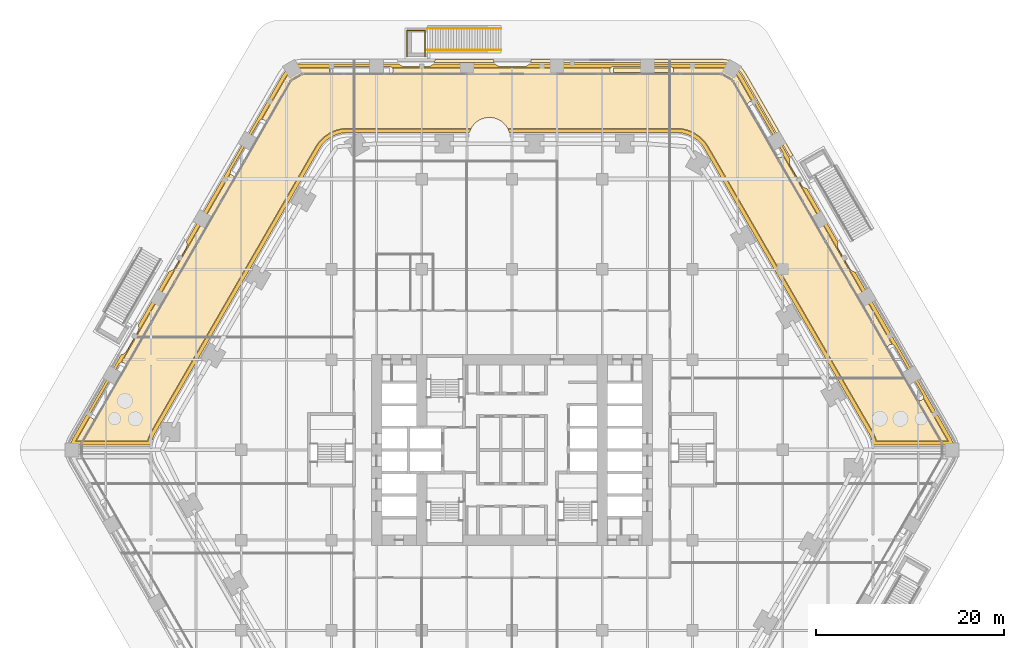
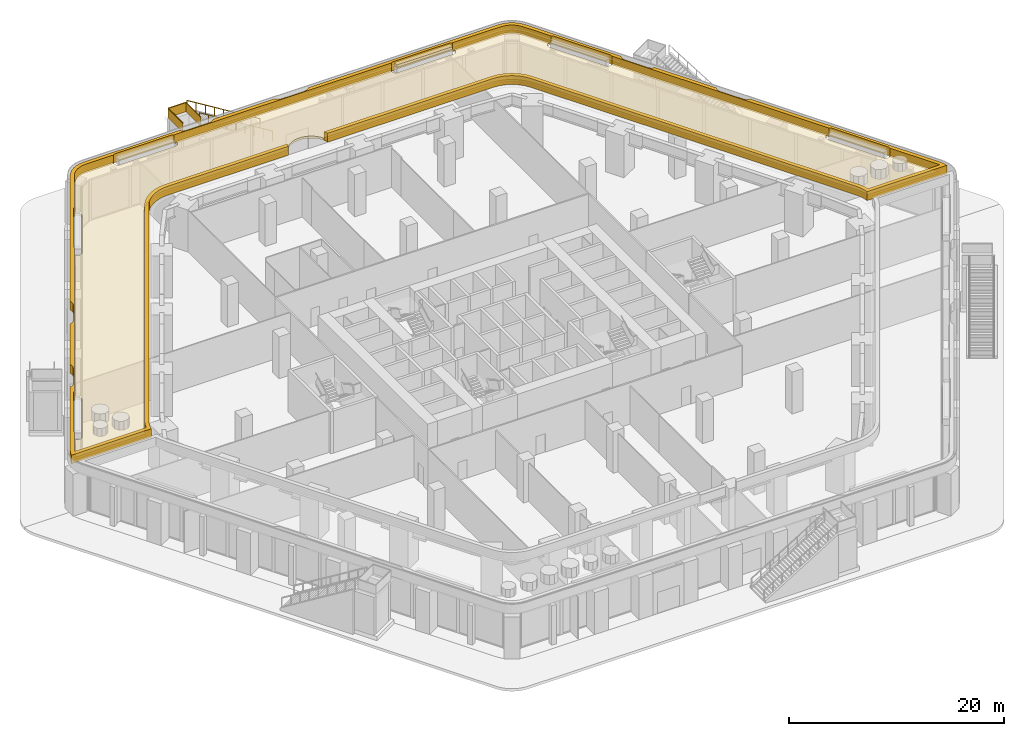
# One storey, part 33 of 34: 5 coverings, 3 railings.
"""IFC4 building model written with IfcOpenShell, lengths in metres."""

from ifc_helpers import new_model, si_unit, direction, frame, frame_2d, origin, origin_2d, place, context, subcontext, project, spatial, polyline, rectangle, circle, outline, extrude, material, layer, layer_set, type_object, element, save


model = new_model("IFC4")

# Units and contexts
model_context = context("Model", 3, precision=1e-05, world=origin(), true_north=direction((0.0, 1.0)))
body_context = subcontext(model_context, "Body", "Model", "MODEL_VIEW")
ifc_project = project(units=[si_unit("LENGTHUNIT", "METRE"), si_unit("AREAUNIT", "SQUARE_METRE"), si_unit("VOLUMEUNIT", "CUBIC_METRE"), si_unit("PLANEANGLEUNIT", "RADIAN"), si_unit("MASSUNIT", "GRAM", prefix="KILO")], contexts=[model_context])

# Site, building, storey
site_placement = place(None, origin())
site = spatial("IfcSite", under=ifc_project, at=site_placement, CompositionType="ELEMENT")
building_placement = place(site_placement, origin())
building = spatial("IfcBuilding", under=site, at=building_placement, Name="Kolab Exchange Tower", CompositionType="ELEMENT")
storey_placement = place(building_placement, frame((0.0, 0.0, 12.39990234375)))
storey = spatial("IfcBuildingStorey", under=building, at=storey_placement, Name="L02", CompositionType="ELEMENT", Elevation=12.39990234375)

# Railings
ifc_material_1 = material(Name="Steel S235", Category="steel")
railing_type = type_object("IfcRailingType", Name="GUARD 1100 GLASS BALUSTRADE AND STEEL TOP RAIL", PredefinedType="GUARDRAIL", material=ifc_material_1)
for number, where, name in (
    (1, (-1.159912109375, 42.529296875, 0.172607421875), "Stair guard"),
    (2, (-1.159912109375, 44.809326171875, 0.172607421875), "Stair guard"),
):
    element("IfcRailing", number, at=place(storey_placement, frame(where)), inside=storey, type_object=railing_type, Name=name, PredefinedType="GUARDRAIL", context=body_context, shape_type="SweptSolid", body=[
        extrude(circle(Radius=0.02490234375, at=origin_2d()), frame((0.0, 0.0, 1.0751953125), z_axis=(-0.851526275914, 0.0, 0.524311931419), x_axis=(0.0, -1.0, 0.0)), (0.0, 0.0, 1.0), 9.20703125),
        extrude(circle(Radius=0.02001953125, at=origin_2d()), origin(), (0.0, 0.0, 1.0), 1.050048828125),
        extrude(circle(Radius=0.02001953125, at=origin_2d()), frame((-0.97998046875, 0.0, 0.603515625)), (0.0, 0.0, 1.0), 1.050048828125),
        extrude(circle(Radius=0.02001953125, at=origin_2d()), frame((-1.9599609375, 0.0, 1.206787109375)), (0.0, 0.0, 1.0), 1.050048828125),
        extrude(circle(Radius=0.02001953125, at=origin_2d()), frame((-2.93994140625, 0.0, 1.810302734375)), (0.0, 0.0, 1.0), 1.050048828125),
        extrude(circle(Radius=0.02001953125, at=origin_2d()), frame((-3.919921875, 0.0, 2.41357421875)), (0.0, 0.0, 1.0), 1.050048828125),
        extrude(circle(Radius=0.02001953125, at=origin_2d()), frame((-4.900146484375, 0.0, 3.01708984375)), (0.0, 0.0, 1.0), 1.050048828125),
        extrude(circle(Radius=0.02001953125, at=origin_2d()), frame((-5.880126953125, 0.0, 3.62060546875)), (0.0, 0.0, 1.0), 1.050048828125),
        extrude(circle(Radius=0.02001953125, at=origin_2d()), frame((-6.860107421875, 0.0, 4.223876953125)), (0.0, 0.0, 1.0), 1.050048828125),
        extrude(circle(Radius=0.02001953125, at=origin_2d()), frame((-7.840087890625, 0.0, 4.827392578125)), (0.0, 0.0, 1.0), 1.050048828125),
    ])
railing_placement = place(storey_placement, frame((-11.14990234375, 41.8193359375, 5.0)))
element("IfcRailing", 3, at=railing_placement, inside=storey, type_object=railing_type, Name="Landing guard", PredefinedType="GUARDRAIL", context=body_context, shape_type="SweptSolid", body=[
    extrude(rectangle(XDim=0.05, YDim=0.05, at=origin_2d()), frame((0.0, 0.0, 1.0751953125), z_axis=(0.0, 1.0, 0.0), x_axis=(-1.0, 0.0, 0.0)), (0.0, 0.0, 1.0), 2.7998046875),
    extrude(rectangle(XDim=0.012, YDim=1.05009765625, at=frame_2d((0.0, 0.525146484375))), frame((0.0, 0.0, 0.0), z_axis=(0.0, 1.0, 0.0), x_axis=(-1.0, 0.0, 0.0)), (0.0, 0.0, 1.0), 2.7998046875),
    extrude(rectangle(XDim=0.05, YDim=0.05, at=origin_2d()), frame((0.0, 2.7998046875, 1.0751953125), z_axis=(1.0, 0.0, 0.0), x_axis=(0.0, 1.0, 0.0)), (0.0, 0.0, 1.0), 1.90478515625),
    extrude(rectangle(XDim=0.012, YDim=1.05009765625, at=frame_2d((0.0, 0.525146484375))), frame((0.0, 2.7998046875, 0.0), z_axis=(1.0, 0.0, 0.0), x_axis=(0.0, 1.0, 0.0)), (0.0, 0.0, 1.0), 1.90478515625),
    extrude(rectangle(XDim=0.05, YDim=0.05, at=origin_2d()), frame((1.90478515625, 2.7998046875, 1.0751953125), z_axis=(0.0, -1.0, 0.0), x_axis=(1.0, 0.0, 0.0)), (0.0, 0.0, 1.0), 2.7998046875),
    extrude(rectangle(XDim=0.012, YDim=1.05009765625, at=frame_2d((0.0, 0.525146484375))), frame((1.90478515625, 2.7998046875, 0.0), z_axis=(0.0, -1.0, 0.0), x_axis=(1.0, 0.0, 0.0)), (0.0, 0.0, 1.0), 2.7998046875),
])

# Coverings
ifc_material_2 = material(Name="Planting soil and turf", Category="soil")
ifc_layer_1 = layer(ifc_material_2, 0.25)
ifc_layer_set_1 = layer_set([ifc_layer_1], Name="Planting soil and turf")
covering_type_1 = type_object("IfcCoveringType", Name="PLANTING SOIL AND TURF 250", PredefinedType="USERDEFINED", material=ifc_layer_set_1)
covering_1_placement = place(storey_placement, frame((0.0, 0.0, 5.0)))
element("IfcCovering", 4, at=covering_1_placement, inside=storey, type_object=covering_type_1, Name="Planting soil and turf", ObjectType="PLANTING", PredefinedType="USERDEFINED", context=body_context, shape_type="SweptSolid", body=[
    extrude(outline(polyline([(-46.29052734375, 1.06103515625), (-44.849853515625, 3.556396484375), (-44.8359375, 3.524658203125), (-44.81689453125, 3.490478515625), (-44.794677734375, 3.4580078125), (-44.769287109375, 3.42822265625), (-44.740966796875, 3.40087890625), (-44.710205078125, 3.37646484375), (-44.67724609375, 3.355224609375), (-44.642333984375, 3.337158203125), (-44.605712890625, 3.32275390625), (-44.568115234375, 3.31201171875), (-44.529541015625, 3.304931640625), (-44.490234375, 3.3017578125), (-44.451171875, 3.302490234375), (-44.412109375, 3.306884765625), (-44.373779296875, 3.315185546875), (-44.33642578125, 3.3271484375), (-44.30029296875, 3.3427734375), (-44.26611328125, 3.36181640625), (-44.233642578125, 3.38427734375), (-44.203857421875, 3.40966796875), (-44.176513671875, 3.43798828125), (-44.152099609375, 3.468505859375), (-44.130859375, 3.501708984375), (-41.130859375, 8.69775390625), (-41.11279296875, 8.732666015625), (-41.098388671875, 8.769287109375), (-41.087646484375, 8.806884765625), (-41.08056640625, 8.845458984375), (-41.077392578125, 8.884765625), (-41.078125, 8.923828125), (-41.08251953125, 8.962890625), (-41.0908203125, 9.001220703125), (-41.102783203125, 9.03857421875), (-41.118408203125, 9.07470703125), (-41.137451171875, 9.10888671875), (-41.159912109375, 9.141357421875), (-41.185302734375, 9.171142578125), (-41.21337890625, 9.198486328125), (-41.244140625, 9.222900390625), (-41.27734375, 9.244140625), (-41.312255859375, 9.26220703125), (-41.3486328125, 9.276611328125), (-41.386474609375, 9.287353515625), (-41.425048828125, 9.29443359375), (-41.464111328125, 9.297607421875), (-41.50341796875, 9.296875), (-41.537841796875, 9.29296875), (-29.93017578125, 29.397705078125), (-29.91650390625, 29.365966796875), (-29.8974609375, 29.331787109375), (-29.875, 29.299560546875), (-29.849609375, 29.26953125), (-29.821533203125, 29.2421875), (-29.790771484375, 29.2177734375), (-29.7578125, 29.196533203125), (-29.722900390625, 29.1787109375), (-29.686279296875, 29.164306640625), (-29.6484375, 29.1533203125), (-29.60986328125, 29.146484375), (-29.57080078125, 29.143310546875), (-29.531494140625, 29.143798828125), (-29.492431640625, 29.1484375), (-29.4541015625, 29.15673828125), (-29.416748046875, 29.168701171875), (-29.380859375, 29.184326171875), (-29.346435546875, 29.203369140625), (-29.314208984375, 29.2255859375), (-29.2841796875, 29.2509765625), (-29.257080078125, 29.279296875), (-29.232666015625, 29.31005859375), (-29.211181640625, 29.343017578125), (-26.211181640625, 34.5390625), (-26.193359375, 34.573974609375), (-26.178955078125, 34.610595703125), (-26.168212890625, 34.648193359375), (-26.1611328125, 34.68701171875), (-26.157958984375, 34.72607421875), (-26.158447265625, 34.765380859375), (-26.1630859375, 34.80419921875), (-26.17138671875, 34.8427734375), (-26.183349609375, 34.880126953125), (-26.198974609375, 34.916015625), (-26.218017578125, 34.950439453125), (-26.240478515625, 34.982666015625), (-26.265869140625, 35.0126953125), (-26.2939453125, 35.039794921875), (-26.32470703125, 35.064208984375), (-26.357666015625, 35.08544921875), (-26.392578125, 35.103515625), (-26.42919921875, 35.117919921875), (-26.466796875, 35.128662109375), (-26.505615234375, 35.1357421875), (-26.544677734375, 35.138916015625), (-26.583984375, 35.13818359375), (-26.6181640625, 35.13427734375), (-24.06396484375, 39.558349609375), (-23.83544921875, 39.884521484375), (-23.583251953125, 40.13671875), (-23.291015625, 40.34130859375), (-22.9677734375, 40.4921875), (-22.623291015625, 40.58447265625), (-22.2265625, 40.619140625), (-19.344970703125, 40.619140625), (-19.365478515625, 40.591552734375), (-19.3857421875, 40.557861328125), (-19.402587890625, 40.522216796875), (-19.415771484375, 40.4853515625), (-19.42529296875, 40.447265625), (-19.430908203125, 40.408447265625), (-19.432861328125, 40.369140625), (-19.430908203125, 40.330078125), (-19.42529296875, 40.291259765625), (-19.415771484375, 40.253173828125), (-19.402587890625, 40.216064453125), (-19.3857421875, 40.1806640625), (-19.365478515625, 40.14697265625), (-19.342041015625, 40.115478515625), (-19.315673828125, 40.08642578125), (-19.28662109375, 40.06005859375), (-19.255126953125, 40.03662109375), (-19.221435546875, 40.016357421875), (-19.18603515625, 39.999755859375), (-19.14892578125, 39.986328125), (-19.11083984375, 39.976806640625), (-19.072021484375, 39.97119140625), (-19.032958984375, 39.96923828125), (-13.032958984375, 39.96923828125), (-12.99365234375, 39.97119140625), (-12.954833984375, 39.976806640625), (-12.916748046875, 39.986328125), (-12.8798828125, 39.999755859375), (-12.844482421875, 40.016357421875), (-12.810791015625, 40.03662109375), (-12.779052734375, 40.06005859375), (-12.75, 40.08642578125), (-12.7236328125, 40.115478515625), (-12.700439453125, 40.14697265625), (-12.68017578125, 40.1806640625), (-12.663330078125, 40.216064453125), (-12.650146484375, 40.253173828125), (-12.640625, 40.291259765625), (-12.634765625, 40.330078125), (-12.6328125, 40.369140625), (-12.634765625, 40.408447265625), (-12.640625, 40.447265625), (-12.650146484375, 40.4853515625), (-12.663330078125, 40.522216796875), (-12.68017578125, 40.557861328125), (-12.700439453125, 40.591552734375), (-12.720947265625, 40.619140625), (10.494140625, 40.619140625), (10.4736328125, 40.591552734375), (10.453369140625, 40.557861328125), (10.4365234375, 40.522216796875), (10.42333984375, 40.4853515625), (10.413818359375, 40.447265625), (10.407958984375, 40.408447265625), (10.40625, 40.369140625), (10.407958984375, 40.330078125), (10.413818359375, 40.291259765625), (10.42333984375, 40.253173828125), (10.4365234375, 40.216064453125), (10.453369140625, 40.1806640625), (10.4736328125, 40.14697265625), (10.496826171875, 40.115478515625), (10.523193359375, 40.08642578125), (10.552490234375, 40.06005859375), (10.583984375, 40.03662109375), (10.61767578125, 40.016357421875), (10.653076171875, 39.999755859375), (10.68994140625, 39.986328125), (10.72802734375, 39.976806640625), (10.766845703125, 39.97119140625), (10.80615234375, 39.96923828125), (16.80615234375, 39.96923828125), (16.84521484375, 39.97119140625), (16.88427734375, 39.976806640625), (16.92236328125, 39.986328125), (16.959228515625, 39.999755859375), (16.99462890625, 40.016357421875), (17.0283203125, 40.03662109375), (17.059814453125, 40.06005859375), (17.0888671875, 40.08642578125), (17.115234375, 40.115478515625), (17.138671875, 40.14697265625), (17.158935546875, 40.1806640625), (17.17578125, 40.216064453125), (17.18896484375, 40.253173828125), (17.198486328125, 40.291259765625), (17.2041015625, 40.330078125), (17.2060546875, 40.369140625), (17.2041015625, 40.408447265625), (17.198486328125, 40.447265625), (17.18896484375, 40.4853515625), (17.17578125, 40.522216796875), (17.158935546875, 40.557861328125), (17.138671875, 40.591552734375), (17.1181640625, 40.619140625), (22.2265625, 40.619140625), (22.623291015625, 40.58447265625), (22.9677734375, 40.4921875), (23.291015625, 40.34130859375), (23.583251953125, 40.13671875), (23.83544921875, 39.884521484375), (24.06396484375, 39.558349609375), (25.5048828125, 37.062744140625), (25.470458984375, 37.066650390625), (25.43115234375, 37.0673828125), (25.39208984375, 37.064208984375), (25.353515625, 37.05712890625), (25.315673828125, 37.04638671875), (25.279296875, 37.031982421875), (25.244384765625, 37.013916015625), (25.21142578125, 36.99267578125), (25.1806640625, 36.96826171875), (25.15234375, 36.941162109375), (25.126953125, 36.9111328125), (25.104736328125, 36.87890625), (25.08544921875, 36.844482421875), (25.06982421875, 36.80859375), (25.057861328125, 36.771240234375), (25.049560546875, 36.732666015625), (25.045166015625, 36.69384765625), (25.04443359375, 36.654541015625), (25.0478515625, 36.615478515625), (25.0546875, 36.57666015625), (25.0654296875, 36.5390625), (25.080078125, 36.50244140625), (25.097900390625, 36.467529296875), (28.097900390625, 31.271484375), (28.119140625, 31.238525390625), (28.1435546875, 31.207763671875), (28.1708984375, 31.179443359375), (28.20068359375, 31.154052734375), (28.233154296875, 31.1318359375), (28.267333984375, 31.11279296875), (28.303466796875, 31.09716796875), (28.3408203125, 31.0849609375), (28.379150390625, 31.076904296875), (28.418212890625, 31.072265625), (28.457275390625, 31.07177734375), (28.49658203125, 31.074951171875), (28.53515625, 31.081787109375), (28.572998046875, 31.0927734375), (28.609375, 31.107177734375), (28.644287109375, 31.125), (28.67724609375, 31.146240234375), (28.7080078125, 31.170654296875), (28.736328125, 31.197998046875), (28.76171875, 31.22802734375), (28.783935546875, 31.26025390625), (28.802978515625, 31.29443359375), (28.81689453125, 31.326171875), (40.42431640625, 11.221435546875), (40.389892578125, 11.225341796875), (40.350830078125, 11.22607421875), (40.3115234375, 11.222900390625), (40.27294921875, 11.2158203125), (40.2353515625, 11.205078125), (40.19873046875, 11.190673828125), (40.163818359375, 11.172607421875), (40.130859375, 11.1513671875), (40.10009765625, 11.126953125), (40.07177734375, 11.099609375), (40.04638671875, 11.06982421875), (40.024169921875, 11.037353515625), (40.005126953125, 11.003173828125), (39.989501953125, 10.967041015625), (39.9775390625, 10.9296875), (39.96923828125, 10.891357421875), (39.964599609375, 10.852294921875), (39.964111328125, 10.813232421875), (39.96728515625, 10.77392578125), (39.974365234375, 10.7353515625), (39.985107421875, 10.69775390625), (39.99951171875, 10.6611328125), (40.017333984375, 10.626220703125), (43.017333984375, 5.43017578125), (43.03857421875, 5.39697265625), (43.06298828125, 5.366455078125), (43.09033203125, 5.338134765625), (43.120361328125, 5.312744140625), (43.152587890625, 5.290283203125), (43.18701171875, 5.271240234375), (43.222900390625, 5.255615234375), (43.26025390625, 5.24365234375), (43.298583984375, 5.2353515625), (43.337646484375, 5.23095703125), (43.376953125, 5.230224609375), (43.416015625, 5.2333984375), (43.45458984375, 5.240478515625), (43.492431640625, 5.251220703125), (43.52880859375, 5.265625), (43.563720703125, 5.28369140625), (43.596923828125, 5.304931640625), (43.627685546875, 5.329345703125), (43.65576171875, 5.356689453125), (43.68115234375, 5.386474609375), (43.70361328125, 5.4189453125), (43.72265625, 5.453125), (43.736328125, 5.48486328125), (46.29052734375, 1.06103515625), (46.34228515625, 0.949951171875), (38.7587890625, 0.949951171875), (38.651123046875, 1.352294921875), (38.37744140625, 1.93896484375), (20.867919921875, 32.266357421875), (20.49658203125, 32.796630859375), (20.00927734375, 33.283935546875), (19.44482421875, 33.67919921875), (18.820068359375, 33.970458984375), (18.154541015625, 34.14892578125), (17.509521484375, 34.205322265625), (-0.467529296875, 34.205322265625), (-0.57080078125, 34.377685546875), (-0.699462890625, 34.551025390625), (-0.844482421875, 34.7109375), (-1.00439453125, 34.85595703125), (-1.177734375, 34.984619140625), (-1.363037109375, 35.095703125), (-1.55810546875, 35.18798828125), (-1.761474609375, 35.2607421875), (-1.970703125, 35.31298828125), (-2.184326171875, 35.3447265625), (-2.39990234375, 35.35546875), (-2.61572265625, 35.3447265625), (-2.8291015625, 35.31298828125), (-3.03857421875, 35.2607421875), (-3.241943359375, 35.18798828125), (-3.43701171875, 35.095703125), (-3.622314453125, 34.984619140625), (-3.795654296875, 34.85595703125), (-3.95556640625, 34.7109375), (-4.1005859375, 34.551025390625), (-4.229248046875, 34.377685546875), (-4.33251953125, 34.205322265625), (-17.509521484375, 34.205322265625), (-18.154541015625, 34.14892578125), (-18.820068359375, 33.970458984375), (-19.44482421875, 33.67919921875), (-20.00927734375, 33.283935546875), (-20.49658203125, 32.796630859375), (-20.867919921875, 32.266357421875), (-38.37744140625, 1.93896484375), (-38.651123046875, 1.352294921875), (-38.7587890625, 0.949951171875), (-46.34228515625, 0.949951171875), (-46.29052734375, 1.06103515625)])), origin(), (0.0, 0.0, 1.0), 0.25),
])
covering_2_placement = place(storey_placement, frame((0.0, 0.0, 5.7001953125)))
element("IfcCovering", 5, at=covering_2_placement, inside=storey, type_object=covering_type_1, Name="Planting soil and turf", ObjectType="PLANTING", PredefinedType="USERDEFINED", context=body_context, shape_type="SweptSolid", body=[
    extrude(outline(polyline([(16.80615234375, 40.609130859375), (16.80615234375, 40.129150390625), (10.80615234375, 40.129150390625), (10.80615234375, 40.609130859375), (16.80615234375, 40.609130859375)])), origin(), (0.0, 0.0, 1.0), 0.2998046875),
])
ifc_material_3 = material(Name="Limestone coping", Category="masonry")
ifc_layer_2 = layer(ifc_material_3, 0.050048828125)
ifc_layer_set_2 = layer_set([ifc_layer_2], Name="Limestone coping")
covering_type_2 = type_object("IfcCoveringType", Name="TERRACE EDGE BAND LIMESTONE 50", PredefinedType="CLADDING", material=ifc_layer_set_2)
covering_3_placement = place(storey_placement, frame((0.0, 0.0, 5.0)))
element("IfcCovering", 6, at=covering_3_placement, inside=storey, type_object=covering_type_2, Name="Terrace edge band", PredefinedType="CLADDING", context=body_context, shape_type="SweptSolid", body=[
    extrude(outline(polyline([(-1.958984375, 41.54931640625), (-1.9560546875, 41.49072265625), (-1.944580078125, 41.4130859375), (-1.925537109375, 41.3369140625), (-1.899169921875, 41.26318359375), (-1.868896484375, 41.19921875), (-8.2861328125, 41.19921875), (-8.255859375, 41.26318359375), (-8.2294921875, 41.3369140625), (-8.21044921875, 41.4130859375), (-8.19873046875, 41.49072265625), (-8.196044921875, 41.54931640625), (-1.958984375, 41.54931640625)])), origin(), (0.0, 0.0, 1.0), 0.050048828125),
])
covering_4_placement = place(storey_placement, frame((0.0, 0.0, 5.0)))
element("IfcCovering", 7, at=covering_4_placement, inside=storey, type_object=covering_type_2, Name="Terrace edge band", PredefinedType="CLADDING", context=body_context, shape_type="SweptSolid", body=[
    extrude(outline(polyline([(22.26708984375, 41.54931640625), (22.785400390625, 41.50390625), (23.287109375, 41.369384765625), (23.7578125, 41.14990234375), (24.183349609375, 40.85205078125), (24.55078125, 40.484619140625), (24.84912109375, 40.058349609375), (29.883056640625, 31.33935546875), (29.833984375, 31.3076171875), (29.7724609375, 31.2587890625), (29.716064453125, 31.2041015625), (29.665283203125, 31.144287109375), (29.625, 31.086181640625), (24.5537109375, 39.8701171875), (24.281494140625, 40.2587890625), (23.95751953125, 40.582763671875), (23.582275390625, 40.845703125), (23.1669921875, 41.039306640625), (22.724365234375, 41.157958984375), (22.251708984375, 41.19921875), (1.948974609375, 41.19921875), (1.97900390625, 41.26318359375), (2.005615234375, 41.3369140625), (2.024658203125, 41.4130859375), (2.0361328125, 41.49072265625), (2.0390625, 41.54931640625), (22.26708984375, 41.54931640625)])), origin(), (0.0, 0.0, 1.0), 0.050048828125),
])
ifc_material_4 = material(Name="Terrace hedge planting", Category="soil")
ifc_layer_3 = layer(ifc_material_4, 1.0)
ifc_layer_set_3 = layer_set([ifc_layer_3], Name="Terrace hedge planting")
covering_type_3 = type_object("IfcCoveringType", Name="TERRACE HEDGE 1000 X 400", PredefinedType="USERDEFINED", material=ifc_layer_set_3)
covering_5_placement = place(storey_placement, frame((0.0, 0.0, 5.0)))
element("IfcCovering", 8, at=covering_5_placement, inside=storey, type_object=covering_type_3, Name="Terrace hedge", ObjectType="PLANTING", PredefinedType="USERDEFINED", context=body_context, shape_type="SweptSolid", body=[
    extrude(outline(polyline([(-46.68994140625, 1.268798828125), (-41.578857421875, 10.12158203125), (-41.569580078125, 10.12255859375), (-41.492919921875, 10.13916015625), (-41.418212890625, 10.1630859375), (-41.34619140625, 10.1943359375), (-41.277587890625, 10.232666015625), (-41.212890625, 10.27734375), (-41.153076171875, 10.328125), (-41.0986328125, 10.384521484375), (-41.0498046875, 10.446044921875), (-41.007080078125, 10.511962890625), (-39.8046875, 12.5947265625), (-39.768798828125, 12.66455078125), (-39.739990234375, 12.737548828125), (-39.718505859375, 12.81298828125), (-39.704345703125, 12.890380859375), (-39.697998046875, 12.968505859375), (-39.69921875, 13.047119140625), (-39.708251953125, 13.125), (-39.724853515625, 13.20166015625), (-39.748779296875, 13.276611328125), (-39.75244140625, 13.28515625), (-36.458984375, 18.98974609375), (-36.44970703125, 18.99072265625), (-36.373046875, 19.00732421875), (-36.298095703125, 19.03125), (-36.22607421875, 19.0625), (-36.157470703125, 19.1005859375), (-36.093017578125, 19.145263671875), (-36.033203125, 19.196044921875), (-35.978515625, 19.25244140625), (-35.9296875, 19.31396484375), (-35.88720703125, 19.380126953125), (-34.687255859375, 21.45849609375), (-34.6513671875, 21.5283203125), (-34.62255859375, 21.601318359375), (-34.600830078125, 21.6767578125), (-34.5869140625, 21.754150390625), (-34.580322265625, 21.832275390625), (-34.581787109375, 21.910888671875), (-34.590576171875, 21.98876953125), (-34.607177734375, 22.0654296875), (-34.63134765625, 22.140380859375), (-34.635009765625, 22.14892578125), (-24.44384765625, 39.80029296875), (-24.181640625, 40.175048828125), (-23.873779296875, 40.48291015625), (-23.51708984375, 40.732666015625), (-23.122314453125, 40.916748046875), (-22.70166015625, 41.029296875), (-22.24609375, 41.0693359375), (-12.02392578125, 41.0693359375), (-12.018310546875, 41.061767578125), (-11.965576171875, 41.00341796875), (-11.907470703125, 40.950927734375), (-11.844482421875, 40.904052734375), (-11.777099609375, 40.86376953125), (-11.7060546875, 40.830078125), (-11.63232421875, 40.8037109375), (-11.55615234375, 40.78466796875), (-11.478515625, 40.77294921875), (-11.39990234375, 40.769287109375), (-8.9951171875, 40.769287109375), (-8.91650390625, 40.77294921875), (-8.8388671875, 40.78466796875), (-8.7626953125, 40.8037109375), (-8.68896484375, 40.830078125), (-8.617919921875, 40.86376953125), (-8.550537109375, 40.904052734375), (-8.487548828125, 40.950927734375), (-8.42919921875, 41.00341796875), (-8.376708984375, 41.061767578125), (-8.37109375, 41.0693359375), (-1.783935546875, 41.0693359375), (-1.7783203125, 41.061767578125), (-1.7255859375, 41.00341796875), (-1.66748046875, 40.950927734375), (-1.6044921875, 40.904052734375), (-1.537109375, 40.86376953125), (-1.466064453125, 40.830078125), (-1.392333984375, 40.8037109375), (-1.316162109375, 40.78466796875), (-1.238525390625, 40.77294921875), (-1.159912109375, 40.769287109375), (1.239990234375, 40.769287109375), (1.318359375, 40.77294921875), (1.39599609375, 40.78466796875), (1.47216796875, 40.8037109375), (1.546142578125, 40.830078125), (1.6171875, 40.86376953125), (1.6845703125, 40.904052734375), (1.74755859375, 40.950927734375), (1.8056640625, 41.00341796875), (1.8583984375, 41.061767578125), (1.864013671875, 41.0693359375), (22.24609375, 41.0693359375), (22.70166015625, 41.029296875), (23.122314453125, 40.916748046875), (23.51708984375, 40.732666015625), (23.873779296875, 40.48291015625), (24.181640625, 40.175048828125), (24.44384765625, 39.80029296875), (29.554931640625, 30.94775390625), (29.55126953125, 30.939208984375), (29.52734375, 30.8642578125), (29.5107421875, 30.78759765625), (29.501708984375, 30.709716796875), (29.50048828125, 30.631103515625), (29.5068359375, 30.552978515625), (29.52099609375, 30.4755859375), (29.54248046875, 30.400146484375), (29.5712890625, 30.3271484375), (29.607177734375, 30.25732421875), (30.8095703125, 28.174560546875), (30.852294921875, 28.108642578125), (30.901123046875, 28.047119140625), (30.95556640625, 27.99072265625), (31.015380859375, 27.93994140625), (31.080078125, 27.895263671875), (31.148681640625, 27.85693359375), (31.220703125, 27.82568359375), (31.29541015625, 27.8017578125), (31.3720703125, 27.78515625), (31.381591796875, 27.7841796875), (34.675048828125, 22.07958984375), (34.67138671875, 22.071044921875), (34.647216796875, 21.996337890625), (34.630615234375, 21.91943359375), (34.621826171875, 21.841552734375), (34.620361328125, 21.762939453125), (34.626953125, 21.684814453125), (34.640869140625, 21.607421875), (34.662353515625, 21.531982421875), (34.69140625, 21.458984375), (34.727294921875, 21.38916015625), (35.92724609375, 19.310791015625), (35.9697265625, 19.244873046875), (36.0185546875, 19.183349609375), (36.0732421875, 19.126953125), (36.133056640625, 19.076171875), (36.197509765625, 19.031494140625), (36.26611328125, 18.9931640625), (36.338134765625, 18.9619140625), (36.412841796875, 18.93798828125), (36.48974609375, 18.92138671875), (36.4990234375, 18.92041015625), (46.68994140625, 1.268798828125), (46.88330078125, 0.8544921875), (46.978271484375, 0.5), (38.39404296875, 0.5), (38.384521484375, 0.608154296875), (38.2265625, 1.19775390625), (37.977783203125, 1.731201171875), (20.488037109375, 32.024169921875), (20.150634765625, 32.50634765625), (19.718994140625, 32.93798828125), (19.218994140625, 33.2880859375), (18.665771484375, 33.546142578125), (18.076171875, 33.7041015625), (17.48974609375, 33.75537109375), (-0.28515625, 33.75537109375), (-0.294677734375, 33.7939453125), (-0.367431640625, 33.997314453125), (-0.442138671875, 34.1552734375), (17.50732421875, 34.1552734375), (18.145751953125, 34.099609375), (18.802978515625, 33.92333984375), (19.419677734375, 33.6357421875), (19.97705078125, 33.24560546875), (20.458251953125, 32.764404296875), (20.82568359375, 32.239501953125), (38.3330078125, 1.916015625), (38.60400390625, 1.3349609375), (38.720458984375, 0.89990234375), (46.420654296875, 0.89990234375), (46.3349609375, 1.083984375), (43.755615234375, 5.551513671875), (43.758544921875, 5.56494140625), (43.762939453125, 5.60400390625), (43.763671875, 5.64306640625), (43.760498046875, 5.682373046875), (43.75341796875, 5.720947265625), (43.74267578125, 5.758544921875), (43.728271484375, 5.795166015625), (43.710205078125, 5.830078125), (40.710205078125, 11.026123046875), (40.68896484375, 11.059326171875), (40.66455078125, 11.090087890625), (40.63720703125, 11.1181640625), (40.607421875, 11.1435546875), (40.574951171875, 11.166015625), (40.540771484375, 11.18505859375), (40.504638671875, 11.20068359375), (40.49169921875, 11.204833984375), (28.836181640625, 31.392822265625), (28.8388671875, 31.40625), (28.843505859375, 31.4453125), (28.843994140625, 31.484619140625), (28.8408203125, 31.523681640625), (28.833740234375, 31.562255859375), (28.822998046875, 31.60009765625), (28.80859375, 31.636474609375), (28.790771484375, 31.67138671875), (25.790771484375, 36.86767578125), (25.76953125, 36.900634765625), (25.7451171875, 36.931396484375), (25.7177734375, 36.95947265625), (25.687744140625, 36.98486328125), (25.655517578125, 37.00732421875), (25.621337890625, 37.0263671875), (25.585205078125, 37.0419921875), (25.572265625, 37.046142578125), (24.106201171875, 39.585205078125), (23.8740234375, 39.916748046875), (23.615478515625, 40.17529296875), (23.316162109375, 40.385009765625), (22.985107421875, 40.539306640625), (22.632080078125, 40.634033203125), (22.228759765625, 40.669189453125), (17.070068359375, 40.669189453125), (17.059814453125, 40.678466796875), (17.0283203125, 40.701904296875), (16.99462890625, 40.721923828125), (16.959228515625, 40.73876953125), (16.92236328125, 40.751953125), (16.88427734375, 40.761474609375), (16.84521484375, 40.767333984375), (16.80615234375, 40.769287109375), (10.80615234375, 40.769287109375), (10.766845703125, 40.767333984375), (10.72802734375, 40.761474609375), (10.68994140625, 40.751953125), (10.653076171875, 40.73876953125), (10.61767578125, 40.721923828125), (10.583984375, 40.701904296875), (10.552490234375, 40.678466796875), (10.542236328125, 40.669189453125), (-12.76904296875, 40.669189453125), (-12.779052734375, 40.678466796875), (-12.810791015625, 40.701904296875), (-12.844482421875, 40.721923828125), (-12.8798828125, 40.73876953125), (-12.916748046875, 40.751953125), (-12.954833984375, 40.761474609375), (-12.99365234375, 40.767333984375), (-13.032958984375, 40.769287109375), (-19.032958984375, 40.769287109375), (-19.072021484375, 40.767333984375), (-19.11083984375, 40.761474609375), (-19.14892578125, 40.751953125), (-19.18603515625, 40.73876953125), (-19.221435546875, 40.721923828125), (-19.255126953125, 40.701904296875), (-19.28662109375, 40.678466796875), (-19.296875, 40.669189453125), (-22.228759765625, 40.669189453125), (-22.632080078125, 40.634033203125), (-22.985107421875, 40.539306640625), (-23.316162109375, 40.385009765625), (-23.615478515625, 40.17529296875), (-23.8740234375, 39.916748046875), (-24.106201171875, 39.585205078125), (-26.685546875, 35.11767578125), (-26.698486328125, 35.113525390625), (-26.734619140625, 35.097900390625), (-26.76904296875, 35.078857421875), (-26.80126953125, 35.056396484375), (-26.8310546875, 35.031005859375), (-26.8583984375, 35.0029296875), (-26.8828125, 34.97216796875), (-26.904052734375, 34.939208984375), (-29.904052734375, 29.742919921875), (-29.922119140625, 29.7080078125), (-29.9365234375, 29.671630859375), (-29.947265625, 29.6337890625), (-29.954345703125, 29.59521484375), (-29.95751953125, 29.55615234375), (-29.956787109375, 29.516845703125), (-29.952392578125, 29.477783203125), (-29.949462890625, 29.46435546875), (-41.60498046875, 9.2763671875), (-41.6181640625, 9.272216796875), (-41.654052734375, 9.256591796875), (-41.6884765625, 9.237548828125), (-41.720703125, 9.215087890625), (-41.750732421875, 9.189697265625), (-41.778076171875, 9.16162109375), (-41.802490234375, 9.130859375), (-41.82373046875, 9.09765625), (-44.82373046875, 3.901611328125), (-44.841552734375, 3.86669921875), (-44.85595703125, 3.830078125), (-44.86669921875, 3.79248046875), (-44.873779296875, 3.75390625), (-44.876953125, 3.714599609375), (-44.87646484375, 3.675537109375), (-44.871826171875, 3.636474609375), (-44.868896484375, 3.623046875), (-46.3349609375, 1.083984375), (-46.420654296875, 0.89990234375), (-38.720458984375, 0.89990234375), (-38.60400390625, 1.3349609375), (-38.3330078125, 1.916015625), (-20.82568359375, 32.239501953125), (-20.458251953125, 32.764404296875), (-19.97705078125, 33.24560546875), (-19.419677734375, 33.6357421875), (-18.802978515625, 33.92333984375), (-18.145751953125, 34.099609375), (-17.50732421875, 34.1552734375), (-4.357666015625, 34.1552734375), (-4.4326171875, 33.997314453125), (-4.50537109375, 33.7939453125), (-4.514892578125, 33.75537109375), (-17.48974609375, 33.75537109375), (-18.076171875, 33.7041015625), (-18.665771484375, 33.546142578125), (-19.218994140625, 33.2880859375), (-19.718994140625, 32.93798828125), (-20.150634765625, 32.50634765625), (-20.488037109375, 32.024169921875), (-37.977783203125, 1.731201171875), (-38.2265625, 1.19775390625), (-38.384521484375, 0.608154296875), (-38.39404296875, 0.5), (-46.978271484375, 0.5), (-46.88330078125, 0.8544921875), (-46.68994140625, 1.268798828125)])), origin(), (0.0, 0.0, 1.0), 1.0),
])

save(model, "model.ifc")
